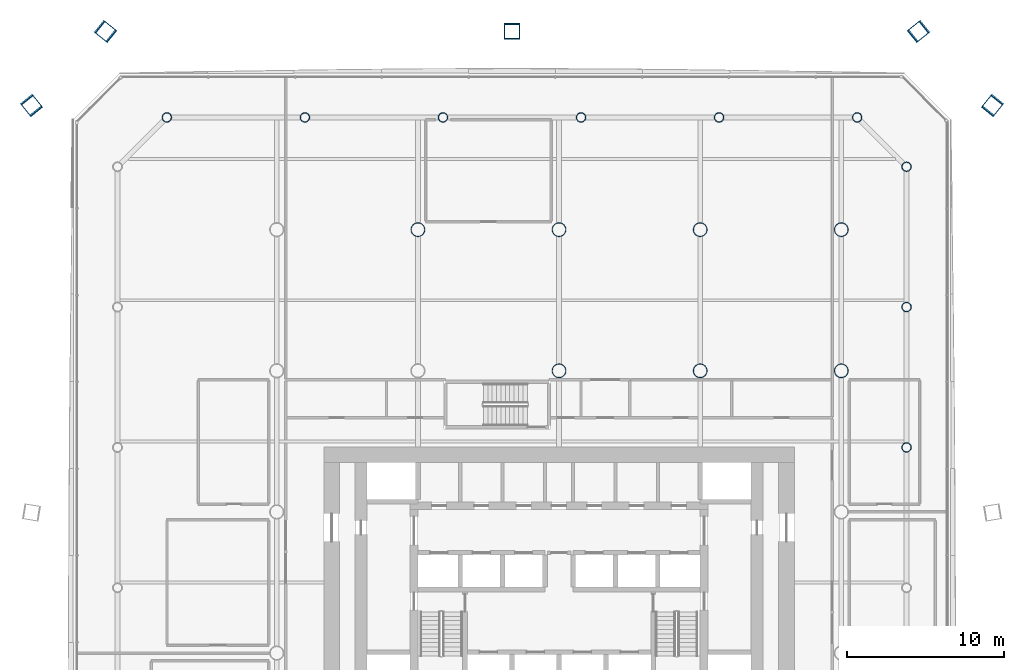
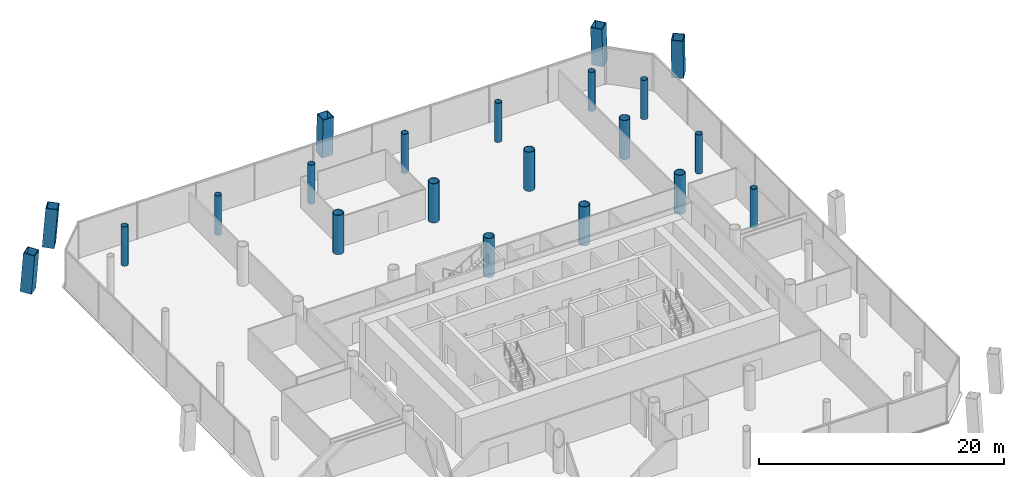
# One storey, part 2 of 23: 21 columns.
"""IFC4 building model written with IfcOpenShell, lengths in metres."""

from ifc_helpers import new_model, si_unit, direction, frame, origin, origin_2d, place, context, subcontext, project, spatial, hollow_rectangle, hollow_circle, extrude, material, material_profile, profile_set, type_object, element, save


model = new_model("IFC4")

# Units and contexts
model_context = context("Model", 3, precision=1e-05, world=origin(), true_north=direction((0.0, 1.0)))
body_context = subcontext(model_context, "Body", "Model", "MODEL_VIEW")
ifc_project = project(units=[si_unit("LENGTHUNIT", "METRE"), si_unit("AREAUNIT", "SQUARE_METRE"), si_unit("VOLUMEUNIT", "CUBIC_METRE"), si_unit("PLANEANGLEUNIT", "RADIAN"), si_unit("MASSUNIT", "GRAM", prefix="KILO")], contexts=[model_context])

# Site, building, storey
site_placement = place(None, origin())
site = spatial("IfcSite", under=ifc_project, at=site_placement, CompositionType="ELEMENT")
building_placement = place(site_placement, origin())
building = spatial("IfcBuilding", under=site, at=building_placement, Name="Tskaro Facet Tower", CompositionType="ELEMENT")
storey_placement = place(building_placement, frame((0.0, 0.0, 14.699951171875)))
storey = spatial("IfcBuildingStorey", under=building, at=storey_placement, Name="L02", CompositionType="ELEMENT", Elevation=14.699951171875)

# Columns
ifc_material_1 = material(Name="Steel S460M", Category="steel")
ifc_material_profile_1 = material_profile(ifc_material_1, hollow_rectangle(XDim=1.0, YDim=1.0, WallThickness=0.06005859375, at=origin_2d()), Name="BOX 1000x1000x60")
ifc_profile_set_1 = profile_set([ifc_material_profile_1], Name="Steel S460M")
column_type_1 = type_object("IfcColumnType", Name="BOX 1000x1000x60 mega column", PredefinedType="COLUMN", material=ifc_profile_set_1)
for number, where, z_axis, x_axis, name in (
    (1, (27.6669921875, 25.9541015625, 0.0), (-0.046506840819, -0.057805818253, 0.997244002806), (0.779141980058, -0.626847489356, 0.0), "BOX 1000x1000x60 MC06/1"),
    (2, (22.9541015625, 30.6669921875, 0.0), (-0.057805818253, -0.046506840819, 0.997244002806), (0.626847489356, -0.779141980058, 0.0), "BOX 1000x1000x60 MC07/1"),
):
    element("IfcColumn", number, at=place(storey_placement, frame(where, z_axis=z_axis, x_axis=x_axis)), inside=storey, type_object=column_type_1, Name=name, PredefinedType="COLUMN", context=body_context, shape_type="SweptSolid", body=[
        extrude(hollow_rectangle(XDim=1.0, YDim=1.0, WallThickness=0.06005859375, at=origin_2d()), origin(), (0.0, 0.0, 1.0), 3.910888671875),
    ])
column_placement = place(storey_placement, frame((-3.0, 30.6669921875, 0.0), z_axis=(0.0, -0.046584737692, 0.99891434178), x_axis=(1.0, 0.0, 0.0)))
element("IfcColumn", 3, at=column_placement, inside=storey, type_object=column_type_1, Name="BOX 1000x1000x60 MC08/1", PredefinedType="COLUMN", context=body_context, shape_type="SweptSolid", body=[
    extrude(hollow_rectangle(XDim=1.0, YDim=1.0, WallThickness=0.06005859375, at=origin_2d()), origin(), (0.0, 0.0, 1.0), 3.904296875),
])
for number, where, z_axis, x_axis, name in (
    (4, (-28.9541015625, 30.6669921875, 0.0), (0.057805818253, -0.046506840819, 0.997244002806), (0.626847489356, 0.779141980058, 0.0), "BOX 1000x1000x60 MC09/1"),
    (5, (-33.6669921875, 25.9541015625, 0.0), (0.046506840819, -0.057805818253, 0.997244002806), (0.779141980058, 0.626847489356, 0.0), "BOX 1000x1000x60 MC10/1"),
):
    element("IfcColumn", number, at=place(storey_placement, frame(where, z_axis=z_axis, x_axis=x_axis)), inside=storey, type_object=column_type_1, Name=name, PredefinedType="COLUMN", context=body_context, shape_type="SweptSolid", body=[
        extrude(hollow_rectangle(XDim=1.0, YDim=1.0, WallThickness=0.06005859375, at=origin_2d()), origin(), (0.0, 0.0, 1.0), 3.910888671875),
    ])
ifc_material_2 = material(Name="Steel S355J2H", Category="steel")
ifc_material_profile_2 = material_profile(ifc_material_2, hollow_circle(Radius=0.304931640625, WallThickness=0.030029296875, at=origin_2d()), Name="CHS 610x30")
ifc_profile_set_2 = profile_set([ifc_material_profile_2], Name="Steel S355J2H")
column_type_2 = type_object("IfcColumnType", Name="CHS 610x30 ring column", PredefinedType="COLUMN", material=ifc_profile_set_2)
for number, where, z_axis, x_axis, name in (
    (6, (22.156982421875, 4.115966796875, 0.0), (0.0, 0.0, 1.0), (1.0, 0.0, 0.0), "CHS 610x30 RE-4/1"),
    (7, (22.156982421875, 13.06396484375, 0.0), (0.0, 0.0, 1.0), (1.0, 0.0, 0.0), "CHS 610x30 RE-5/1"),
    (8, (22.156982421875, 22.011962890625, 0.0), (0.0, 0.0, 1.0), (1.0, 0.0, 0.0), "CHS 610x30 RNE-1/1"),
    (9, (19.011962890625, 25.156982421875, 0.0), (0.0, 0.0, 1.0), (1.0, 0.0, 0.0), "CHS 610x30 RN-1/1"),
    (10, (10.20703125, 25.156982421875, 0.0), (0.0, 0.0, 1.0), (1.0, 0.0, 0.0), "CHS 610x30 RN-2/1"),
    (11, (1.402099609375, 25.156982421875, 0.0), (0.0, 0.0, 1.0), (1.0, 0.0, 0.0), "CHS 610x30 RN-3/1"),
    (12, (-7.402099609375, 25.156982421875, 0.0), (0.0, 0.0, 1.0), (1.0, 0.0, 0.0), "CHS 610x30 RN-4/1"),
    (13, (-16.20703125, 25.156982421875, 0.0), (0.0, 0.0, 1.0), (1.0, 0.0, 0.0), "CHS 610x30 RN-5/1"),
    (14, (-25.011962890625, 25.156982421875, 0.0), (0.0, 0.0, 1.0), (1.0, 0.0, 0.0), "CHS 610x30 RNW-1/1"),
):
    element("IfcColumn", number, at=place(storey_placement, frame(where, z_axis=z_axis, x_axis=x_axis)), inside=storey, type_object=column_type_2, Name=name, PredefinedType="COLUMN", context=body_context, shape_type="SweptSolid", body=[
        extrude(hollow_circle(Radius=0.304931640625, WallThickness=0.030029296875, at=origin_2d()), origin(), (0.0, 0.0, 1.0), 3.900146484375),
    ])
ifc_material_profile_3 = material_profile(ifc_material_2, hollow_circle(Radius=0.457275390625, WallThickness=0.050048828125, at=origin_2d()), Name="CHS 914.4x50")
ifc_profile_set_3 = profile_set([ifc_material_profile_3], Name="Steel S355J2H")
column_type_3 = type_object("IfcColumnType", Name="CHS 914.4x50 interior column", PredefinedType="COLUMN", material=ifc_profile_set_3)
for number, where, z_axis, x_axis, name in (
    (15, (-9.0, 18.0, 0.0), (0.0, 0.0, 1.0), (1.0, 0.0, 0.0), "CHS 914.4x50 C3F/1"),
    (16, (0.0, 9.0, 0.0), (0.0, 0.0, 1.0), (1.0, 0.0, 0.0), "CHS 914.4x50 C4E/1"),
    (17, (0.0, 18.0, 0.0), (0.0, 0.0, 1.0), (1.0, 0.0, 0.0), "CHS 914.4x50 C4F/1"),
    (18, (9.0, 9.0, 0.0), (0.0, 0.0, 1.0), (1.0, 0.0, 0.0), "CHS 914.4x50 C5E/1"),
    (19, (9.0, 18.0, 0.0), (0.0, 0.0, 1.0), (1.0, 0.0, 0.0), "CHS 914.4x50 C5F/1"),
    (20, (18.0, 9.0, 0.0), (0.0, 0.0, 1.0), (1.0, 0.0, 0.0), "CHS 914.4x50 C6E/1"),
    (21, (18.0, 18.0, 0.0), (0.0, 0.0, 1.0), (1.0, 0.0, 0.0), "CHS 914.4x50 C6F/1"),
):
    element("IfcColumn", number, at=place(storey_placement, frame(where, z_axis=z_axis, x_axis=x_axis)), inside=storey, type_object=column_type_3, Name=name, PredefinedType="COLUMN", context=body_context, shape_type="SweptSolid", body=[
        extrude(hollow_circle(Radius=0.457275390625, WallThickness=0.050048828125, at=origin_2d()), origin(), (0.0, 0.0, 1.0), 3.900146484375),
    ])

save(model, "model.ifc")
